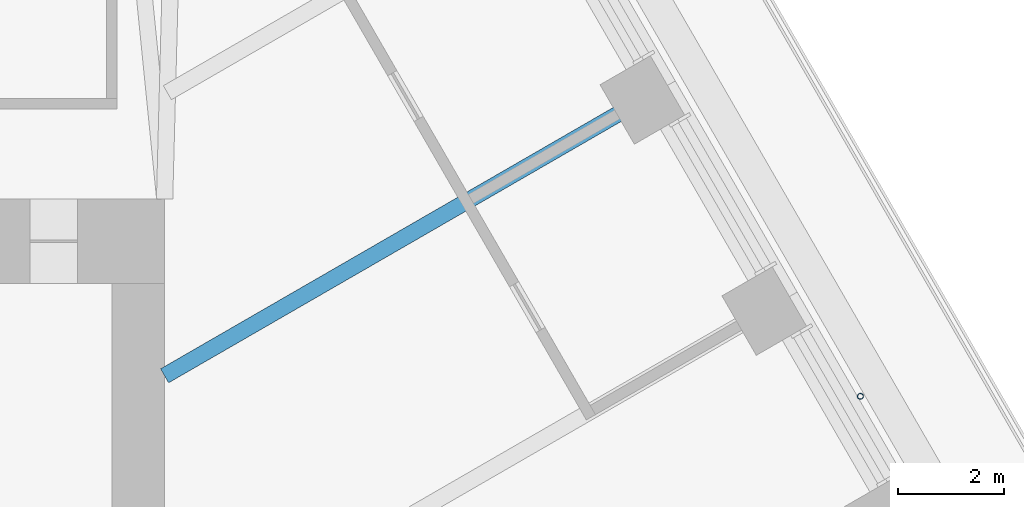
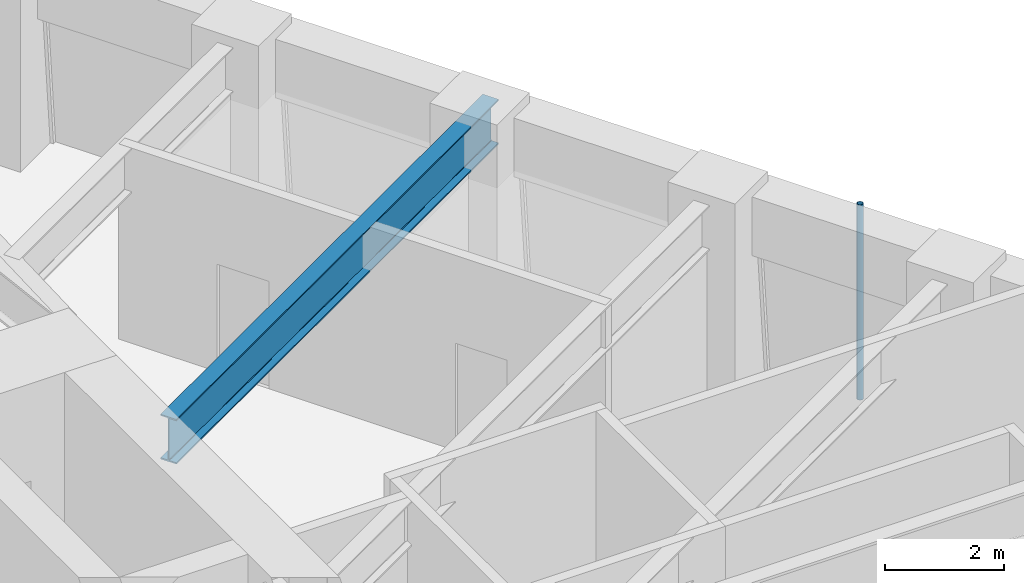
# One storey, part 10 of 20: 1 beam, 1 member.
"""IFC4 building model written with IfcOpenShell, lengths in metres."""

from ifc_helpers import new_model, si_unit, direction, frame, origin, origin_2d, place, context, subcontext, project, spatial, hollow_circle, i_section, extrude, material, material_profile, profile_set, type_object, element, save


model = new_model("IFC4")

# Units and contexts
model_context = context("Model", 3, precision=1e-05, world=origin(), true_north=direction((0.0, 1.0)))
body_context = subcontext(model_context, "Body", "Model", "MODEL_VIEW")
ifc_project = project(units=[si_unit("LENGTHUNIT", "METRE"), si_unit("AREAUNIT", "SQUARE_METRE"), si_unit("VOLUMEUNIT", "CUBIC_METRE"), si_unit("PLANEANGLEUNIT", "RADIAN"), si_unit("MASSUNIT", "GRAM", prefix="KILO")], contexts=[model_context])

# Site, building, storey
site_placement = place(None, origin())
site = spatial("IfcSite", under=ifc_project, at=site_placement, CompositionType="ELEMENT")
building_placement = place(site_placement, origin())
building = spatial("IfcBuilding", under=site, at=building_placement, Name="Tarfa Lantern Tower", CompositionType="ELEMENT")
storey_placement = place(building_placement, frame((0.0, 0.0, 249.10009765625)))
storey = spatial("IfcBuildingStorey", under=building, at=storey_placement, Name="L56", CompositionType="ELEMENT", Elevation=249.10009765625)

# Member
ifc_material_1 = material(Name="Steel S355", Category="steel")
ifc_material_profile_1 = material_profile(ifc_material_1, hollow_circle(Radius=0.05712890625, WallThickness=0.00634765625, at=origin_2d()), Name="CHS114.3x6.3")
ifc_profile_set_1 = profile_set([ifc_material_profile_1], Name="Steel S355")
member_type = type_object("IfcMemberType", Name="TR1 GREEN WALL TRELLIS CHS114.3x6.3", PredefinedType="USERDEFINED", material=ifc_profile_set_1)
member_placement = place(storey_placement, frame((28.682861328125, 8.56005859375, 0.0), z_axis=(0.0, 0.0, 1.0), x_axis=(1.0, 0.0, 0.0)))
element("IfcMember", 1, at=member_placement, inside=storey, type_object=member_type, Name="Trellis post NE 1", ObjectType="TRELLIS", PredefinedType="USERDEFINED", context=body_context, shape_type="SweptSolid", body=[
    extrude(hollow_circle(Radius=0.05712890625, WallThickness=0.00634765625, at=origin_2d()), origin(), (0.0, 0.0, 1.0), 4.0),
])

# Beam
ifc_material_2 = material(Name="Steel S460M", Category="steel")
ifc_material_profile_2 = material_profile(ifc_material_2, i_section(OverallWidth=0.305419921875, OverallDepth=0.91845703125, WebThickness=0.017333984375, FlangeThickness=0.02783203125, FilletRadius=0.01904296875, at=origin_2d()), Name="UB914x305x253")
ifc_profile_set_2 = profile_set([ifc_material_profile_2], Name="Steel S460M")
beam_type = type_object("IfcBeamType", Name="UB914x305x253", PredefinedType="BEAM", material=ifc_profile_set_2)
beam_placement = place(storey_placement, frame((24.872314453125, 14.360107421875, 3.540771484375), z_axis=(-0.8660244219, -0.500001700669, 0.0), x_axis=(0.500001700669, -0.8660244219, 0.0)))
element("IfcBeam", 2, at=beam_placement, inside=storey, type_object=beam_type, Name="Floor beam NE3", PredefinedType="BEAM", context=body_context, shape_type="SweptSolid", body=[
    extrude(i_section(OverallWidth=0.305419921875, OverallDepth=0.91845703125, WebThickness=0.017333984375, FlangeThickness=0.02783203125, FilletRadius=0.01904296875, at=origin_2d()), origin(), (0.0, 0.0, 1.0), 10.822265625),
])

save(model, "model.ifc")
